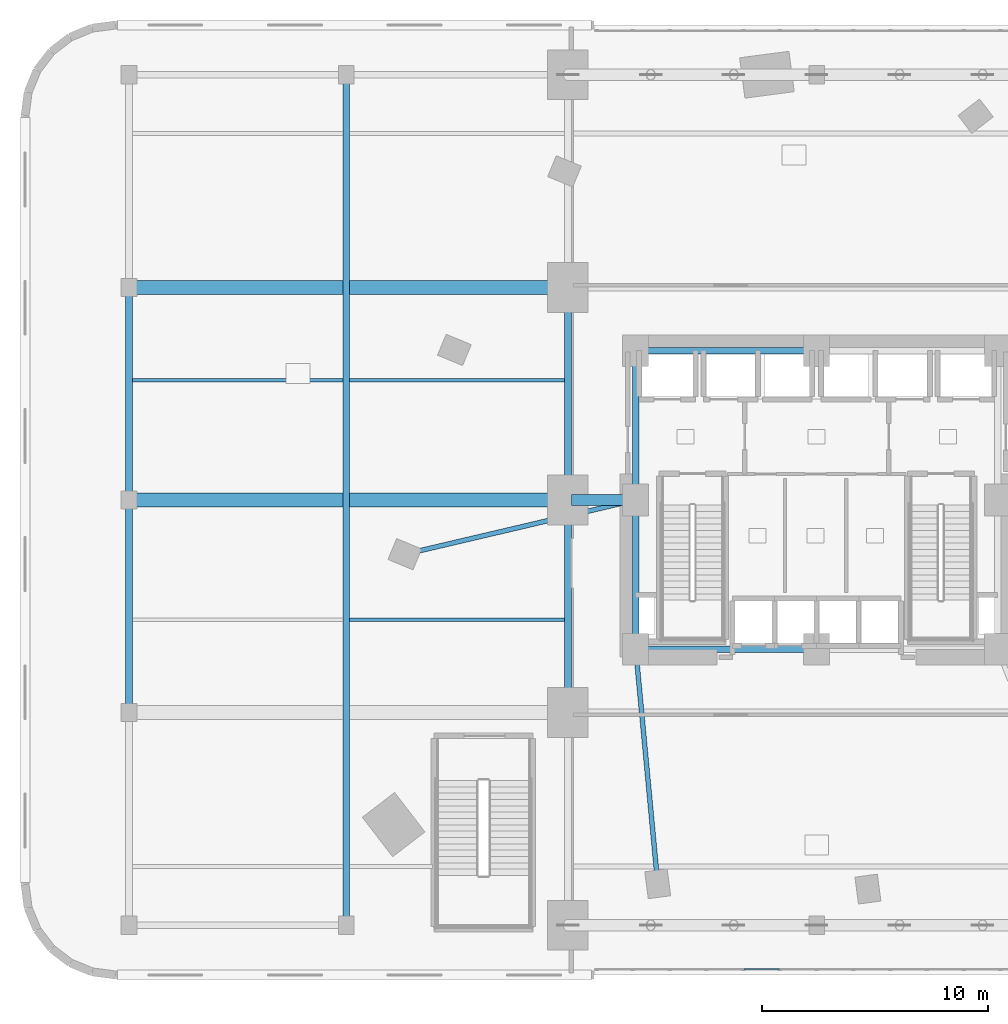
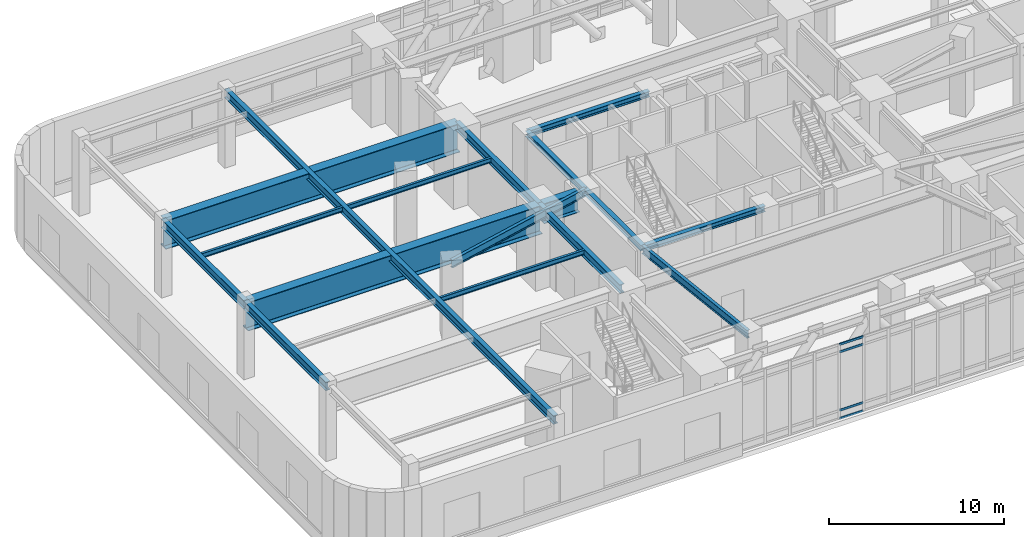
# One storey, part 3 of 19: 17 beams, 4 members, 1 element without a shape of its own.
"""IFC4 building model written with IfcOpenShell, lengths in metres."""

from ifc_helpers import new_model, si_unit, direction, frame, origin, origin_2d, place, context, subcontext, project, spatial, hollow_rectangle, i_section, extrude, material, layer, layer_set, material_profile, profile_set, type_object, element, aggregate, save


model = new_model("IFC4")

# Units and contexts
model_context = context("Model", 3, precision=1e-05, world=origin(), true_north=direction((0.0, 1.0)))
body_context = subcontext(model_context, "Body", "Model", "MODEL_VIEW")
ifc_project = project(units=[si_unit("LENGTHUNIT", "METRE"), si_unit("AREAUNIT", "SQUARE_METRE"), si_unit("VOLUMEUNIT", "CUBIC_METRE"), si_unit("PLANEANGLEUNIT", "RADIAN"), si_unit("MASSUNIT", "GRAM", prefix="KILO")], contexts=[model_context])

# Site, building, storey
site_placement = place(None, origin())
site = spatial("IfcSite", under=ifc_project, at=site_placement, CompositionType="ELEMENT")
building_placement = place(site_placement, origin())
building = spatial("IfcBuilding", under=site, at=building_placement, Name="Ndelora Gate Hotel", CompositionType="ELEMENT")
storey_placement = place(building_placement, frame((0.0, 0.0, 16.0)))
storey = spatial("IfcBuildingStorey", under=building, at=storey_placement, Name="L03", CompositionType="ELEMENT", Elevation=16.0)

# Beams
ifc_material_1 = material(Name="Steel S355", Category="steel")
ifc_material_profile_1 = material_profile(ifc_material_1, i_section(OverallWidth=0.300048828125, OverallDepth=0.39990234375, WebThickness=0.013427734375, FlangeThickness=0.02392578125, FilletRadius=0.027099609375, at=origin_2d()), Name="HEB 400")
ifc_profile_set_1 = profile_set([ifc_material_profile_1], Name="Steel S355")
beam_type_1 = type_object("IfcBeamType", Name="BM-CORE-400", PredefinedType="BEAM", material=ifc_profile_set_1)
beam_1_placement = place(storey_placement, frame((-8.0, 6.60009765625, 5.02001953125), z_axis=(1.0, 0.0, 0.0), x_axis=(0.0, 1.0, 0.0)))
element("IfcBeam", 1, at=beam_1_placement, inside=storey, type_object=beam_type_1, Name="L03 Core Tie Girder CC7-CC6", PredefinedType="BEAM", context=body_context, shape_type="SweptSolid", body=[
    extrude(i_section(OverallWidth=0.300048828125, OverallDepth=0.39990234375, WebThickness=0.013427734375, FlangeThickness=0.02392578125, FilletRadius=0.027099609375, at=origin_2d()), origin(), (0.0, 0.0, 1.0), 8.0),
])
for number, where, z_axis, x_axis, name in (
    (2, (-8.0, -6.60009765625, 5.02001953125), (0.0, 1.0, 0.0), (-1.0, 0.0, 0.0), "L03 Core Tie Girder CC1-CC8"),
    (3, (-8.0, 0.0, 5.02001953125), (0.0, 1.0, 0.0), (-1.0, 0.0, 0.0), "L03 Core Tie Girder CC8-CC7"),
):
    element("IfcBeam", number, at=place(storey_placement, frame(where, z_axis=z_axis, x_axis=x_axis)), inside=storey, type_object=beam_type_1, Name=name, PredefinedType="BEAM", context=body_context, shape_type="SweptSolid", body=[
        extrude(i_section(OverallWidth=0.300048828125, OverallDepth=0.39990234375, WebThickness=0.013427734375, FlangeThickness=0.02392578125, FilletRadius=0.027099609375, at=origin_2d()), origin(), (0.0, 0.0, 1.0), 6.60009765625),
    ])
beam_2_placement = place(storey_placement, frame((-8.0, -6.60009765625, 5.02001953125), z_axis=(1.0, 0.0, 0.0), x_axis=(0.0, 1.0, 0.0)))
element("IfcBeam", 4, at=beam_2_placement, inside=storey, type_object=beam_type_1, Name="L03 Core Tie Girder CC1-CC2", PredefinedType="BEAM", context=body_context, shape_type="SweptSolid", body=[
    extrude(i_section(OverallWidth=0.300048828125, OverallDepth=0.39990234375, WebThickness=0.013427734375, FlangeThickness=0.02392578125, FilletRadius=0.027099609375, at=origin_2d()), origin(), (0.0, 0.0, 1.0), 8.0),
])
ifc_material_profile_2 = material_profile(ifc_material_1, i_section(OverallWidth=0.159912109375, OverallDepth=0.330078125, WebThickness=0.007568359375, FlangeThickness=0.011474609375, FilletRadius=0.01806640625, at=origin_2d()), Name="IPE 330")
ifc_profile_set_2 = profile_set([ifc_material_profile_2], Name="Steel S355")
beam_type_2 = type_object("IfcBeamType", Name="BM-JST-330", PredefinedType="JOIST", material=ifc_profile_set_2)
beam_3_placement = place(storey_placement, frame((-20.64990234375, -5.300048828125, 5.054931640625), z_axis=(1.0, 0.0, 0.0), x_axis=(0.0, 1.0, 0.0)))
element("IfcBeam", 5, at=beam_3_placement, inside=storey, type_object=beam_type_2, Name="L03 Podium Composite Secondary Joist 2", PredefinedType="JOIST", context=body_context, shape_type="SweptSolid", body=[
    extrude(i_section(OverallWidth=0.159912109375, OverallDepth=0.330078125, WebThickness=0.007568359375, FlangeThickness=0.011474609375, FilletRadius=0.01806640625, at=origin_2d()), origin(), (0.0, 0.0, 1.0), 9.5),
])
beam_4_placement = place(storey_placement, frame((-30.25, 5.300048828125, 5.054931640625), z_axis=(1.0, 0.0, 0.0), x_axis=(0.0, 1.0, 0.0)))
element("IfcBeam", 6, at=beam_4_placement, inside=storey, type_object=beam_type_2, Name="L03 Podium Composite Secondary Joist 1", PredefinedType="JOIST", context=body_context, shape_type="SweptSolid", body=[
    extrude(i_section(OverallWidth=0.159912109375, OverallDepth=0.330078125, WebThickness=0.007568359375, FlangeThickness=0.011474609375, FilletRadius=0.01806640625, at=origin_2d()), origin(), (0.0, 0.0, 1.0), 9.300048828125),
])
beam_5_placement = place(storey_placement, frame((-20.64990234375, 5.300048828125, 5.054931640625), z_axis=(1.0, 0.0, 0.0), x_axis=(0.0, 1.0, 0.0)))
element("IfcBeam", 7, at=beam_5_placement, inside=storey, type_object=beam_type_2, Name="L03 Podium Composite Secondary Joist 2", PredefinedType="JOIST", context=body_context, shape_type="SweptSolid", body=[
    extrude(i_section(OverallWidth=0.159912109375, OverallDepth=0.330078125, WebThickness=0.007568359375, FlangeThickness=0.011474609375, FilletRadius=0.01806640625, at=origin_2d()), origin(), (0.0, 0.0, 1.0), 9.5),
])
ifc_material_profile_3 = material_profile(ifc_material_1, i_section(OverallWidth=0.300048828125, OverallDepth=0.60009765625, WebThickness=0.015380859375, FlangeThickness=0.030029296875, FilletRadius=0.027099609375, at=origin_2d()), Name="HEB 600")
ifc_profile_set_3 = profile_set([ifc_material_profile_3], Name="Steel S355")
beam_type_3 = type_object("IfcBeamType", Name="BM-POD-600", PredefinedType="BEAM", material=ifc_profile_set_3)
for number, where, z_axis, x_axis, name in (
    (8, (-30.39990234375, -9.39990234375, 4.919921875), (0.0, 1.0, 0.0), (-1.0, 0.0, 0.0), "L03 Podium Longitudinal Girder X=-30.4"),
    (9, (-30.39990234375, 0.0, 4.919921875), (0.0, 1.0, 0.0), (-1.0, 0.0, 0.0), "L03 Podium Longitudinal Girder X=-30.4"),
):
    element("IfcBeam", number, at=place(storey_placement, frame(where, z_axis=z_axis, x_axis=x_axis)), inside=storey, type_object=beam_type_3, Name=name, PredefinedType="BEAM", context=body_context, shape_type="SweptSolid", body=[
        extrude(i_section(OverallWidth=0.300048828125, OverallDepth=0.60009765625, WebThickness=0.015380859375, FlangeThickness=0.030029296875, FilletRadius=0.027099609375, at=origin_2d()), origin(), (0.0, 0.0, 1.0), 9.39990234375),
    ])
beam_6_placement = place(storey_placement, frame((-20.800048828125, -18.800048828125, 4.919921875), z_axis=(0.0, 1.0, 0.0), x_axis=(-1.0, 0.0, 0.0)))
element("IfcBeam", 10, at=beam_6_placement, inside=storey, type_object=beam_type_3, Name="L03 Podium Longitudinal Girder X=-20.8", PredefinedType="BEAM", context=body_context, shape_type="SweptSolid", body=[
    extrude(i_section(OverallWidth=0.300048828125, OverallDepth=0.60009765625, WebThickness=0.015380859375, FlangeThickness=0.030029296875, FilletRadius=0.027099609375, at=origin_2d()), origin(), (0.0, 0.0, 1.0), 37.60009765625),
])
for number, where, z_axis, x_axis, name in (
    (11, (-11.0, -9.39990234375, 4.919921875), (0.0, 1.0, 0.0), (-1.0, 0.0, 0.0), "L03 Podium Longitudinal Girder X=-11.0"),
    (12, (-11.0, 0.0, 4.919921875), (0.0, 1.0, 0.0), (-1.0, 0.0, 0.0), "L03 Podium Longitudinal Girder X=-11.0"),
):
    element("IfcBeam", number, at=place(storey_placement, frame(where, z_axis=z_axis, x_axis=x_axis)), inside=storey, type_object=beam_type_3, Name=name, PredefinedType="BEAM", context=body_context, shape_type="SweptSolid", body=[
        extrude(i_section(OverallWidth=0.300048828125, OverallDepth=0.60009765625, WebThickness=0.015380859375, FlangeThickness=0.030029296875, FilletRadius=0.027099609375, at=origin_2d()), origin(), (0.0, 0.0, 1.0), 9.39990234375),
    ])
ifc_material_profile_4 = material_profile(ifc_material_1, i_section(OverallWidth=0.2099609375, OverallDepth=0.550048828125, WebThickness=0.010986328125, FlangeThickness=0.01708984375, FilletRadius=0.02392578125, at=origin_2d()), Name="IPE 550")
ifc_profile_set_4 = profile_set([ifc_material_profile_4], Name="Steel S355")
beam_type_4 = type_object("IfcBeamType", Name="BM-RAD-550", PredefinedType="BEAM", material=ifc_profile_set_4)
beam_7_placement = place(storey_placement, frame((-8.0, 0.0, 4.945068359375), z_axis=(-0.973517848051, -0.22861102232, 0.0), x_axis=(0.22861102232, -0.973517848051, 0.0)))
element("IfcBeam", 13, at=beam_7_placement, inside=storey, type_object=beam_type_4, Name="L03 Tower Root Radial Tie Beam 4", PredefinedType="BEAM", context=body_context, shape_type="SweptSolid", body=[
    extrude(i_section(OverallWidth=0.2099609375, OverallDepth=0.550048828125, WebThickness=0.010986328125, FlangeThickness=0.01708984375, FilletRadius=0.02392578125, at=origin_2d()), origin(), (0.0, 0.0, 1.0), 10.48486328125),
])
beam_8_placement = place(storey_placement, frame((-8.0, -6.60009765625, 4.945068359375), z_axis=(0.093395913855, -0.995629049031, 0.0), x_axis=(0.995629049031, 0.093395913855, 0.0)))
element("IfcBeam", 14, at=beam_8_placement, inside=storey, type_object=beam_type_4, Name="L03 Tower Root Radial Tie Beam 6", PredefinedType="BEAM", context=body_context, shape_type="SweptSolid", body=[
    extrude(i_section(OverallWidth=0.2099609375, OverallDepth=0.550048828125, WebThickness=0.010986328125, FlangeThickness=0.01708984375, FilletRadius=0.02392578125, at=origin_2d()), origin(), (0.0, 0.0, 1.0), 10.41162109375),
])
ifc_material_2 = material(Name="Steel S460", Category="steel")
ifc_material_profile_5 = material_profile(ifc_material_2, i_section(OverallWidth=0.5, OverallDepth=1.39990234375, WebThickness=0.02392578125, FlangeThickness=0.035888671875, FilletRadius=0.02197265625, at=origin_2d()), Name="PG 1400x500x36")
ifc_profile_set_5 = profile_set([ifc_material_profile_5], Name="Steel S460")
beam_type_5 = type_object("IfcBeamType", Name="BM-TR-1400", PredefinedType="BEAM", material=ifc_profile_set_5)
beam_9_placement = place(storey_placement, frame((-10.85009765625, 0.0, 4.52001953125), z_axis=(1.0, 0.0, 0.0), x_axis=(0.0, 1.0, 0.0)))
element("IfcBeam", 15, at=beam_9_placement, inside=storey, type_object=beam_type_5, Name="L03 structural beam TG-3", PredefinedType="BEAM", context=body_context, shape_type="SweptSolid", body=[
    extrude(i_section(OverallWidth=0.5, OverallDepth=1.39990234375, WebThickness=0.02392578125, FlangeThickness=0.035888671875, FilletRadius=0.02197265625, at=origin_2d()), origin(), (0.0, 0.0, 1.0), 2.35009765625),
])
ifc_material_profile_6 = material_profile(ifc_material_2, i_section(OverallWidth=0.6201171875, OverallDepth=2.0, WebThickness=0.028076171875, FlangeThickness=0.0400390625, FilletRadius=0.02392578125, at=origin_2d()), Name="PG 2000x620x40")
ifc_profile_set_6 = profile_set([ifc_material_profile_6], Name="Steel S460")
beam_type_6 = type_object("IfcBeamType", Name="BM-TR-2000", PredefinedType="BEAM", material=ifc_profile_set_6)
for number, where, z_axis, x_axis, name in (
    (16, (-30.39990234375, 0.0, 4.219970703125), (1.0, 0.0, 0.0), (0.0, 1.0, 0.0), "L03 Podium Transverse Girder Y=+0.0"),
    (17, (-30.39990234375, 9.39990234375, 4.219970703125), (1.0, 0.0, 0.0), (0.0, 1.0, 0.0), "L03 Podium Transverse Girder Y=+9.4"),
):
    element("IfcBeam", number, at=place(storey_placement, frame(where, z_axis=z_axis, x_axis=x_axis)), inside=storey, type_object=beam_type_6, Name=name, PredefinedType="BEAM", context=body_context, shape_type="SweptSolid", body=[
        extrude(i_section(OverallWidth=0.6201171875, OverallDepth=2.0, WebThickness=0.028076171875, FlangeThickness=0.0400390625, FilletRadius=0.02392578125, at=origin_2d()), origin(), (0.0, 0.0, 1.0), 19.39990234375),
    ])

# Curtain wall, members
ifc_material_3 = material(Name="Bronze Anodised Unitised Aluminium and Low-E Glass", Category="aluminium")
ifc_layer = layer(ifc_material_3, 0.219970703125)
ifc_layer_set = layer_set([ifc_layer], Name="Bronze Anodised Unitised Aluminium and Low-E Glass")
curtain_wall_type = type_object("IfcCurtainWallType", Name="CW-SYS-2", PredefinedType="NOTDEFINED", material=ifc_layer_set)
curtain_wall_placement = place(storey_placement, origin())
curtain_wall = element("IfcCurtainWall", 18, at=curtain_wall_placement, inside=storey, type_object=curtain_wall_type, Name="L03 South Podium Foyer Curtain Wall CW2", PredefinedType="NOTDEFINED")
ifc_material_4 = material(Name="Bronze Anodised Aluminium 6063-T6", Category="aluminium")
ifc_material_profile_7 = material_profile(ifc_material_4, hollow_rectangle(XDim=0.06494140625, YDim=0.159912109375, WallThickness=0.00390625, InnerFilletRadius=0.00390625, OuterFilletRadius=0.008056640625, at=origin_2d()), Name="ALU 160x65x4")
ifc_profile_set_7 = profile_set([ifc_material_profile_7], Name="Bronze Anodised Aluminium 6063-T6")
member_type = type_object("IfcMemberType", Name="MB-CW-TRN150", PredefinedType="USERDEFINED", material=ifc_profile_set_7)
member_1_placement = place(storey_placement, frame((-3.220947265625, -20.75, 0.032470703125), z_axis=(1.0, 0.0, 0.0), x_axis=(0.0, 1.0, 0.0)))
member_1 = element("IfcMember", 19, at=member_1_placement, type_object=member_type, Name="CW2 transom 5.1", ObjectType="TRANSOM", PredefinedType="USERDEFINED", context=body_context, shape_type="SweptSolid", body=[
    extrude(hollow_rectangle(XDim=0.06494140625, YDim=0.159912109375, WallThickness=0.00390625, InnerFilletRadius=0.00390625, OuterFilletRadius=0.008056640625, at=origin_2d()), origin(), (0.0, 0.0, 1.0), 1.56689453125),
])
member_2_placement = place(storey_placement, frame((-3.220947265625, -20.75, 0.60009765625), z_axis=(1.0, 0.0, 0.0), x_axis=(0.0, 1.0, 0.0)))
member_2 = element("IfcMember", 20, at=member_2_placement, type_object=member_type, Name="CW2 transom 5.2", ObjectType="TRANSOM", PredefinedType="USERDEFINED", context=body_context, shape_type="SweptSolid", body=[
    extrude(hollow_rectangle(XDim=0.06494140625, YDim=0.159912109375, WallThickness=0.00390625, InnerFilletRadius=0.00390625, OuterFilletRadius=0.008056640625, at=origin_2d()), origin(), (0.0, 0.0, 1.0), 1.56689453125),
])
member_3_placement = place(storey_placement, frame((-3.220947265625, -20.75, 4.669921875), z_axis=(1.0, 0.0, 0.0), x_axis=(0.0, 1.0, 0.0)))
member_3 = element("IfcMember", 21, at=member_3_placement, type_object=member_type, Name="CW2 transom 5.3", ObjectType="TRANSOM", PredefinedType="USERDEFINED", context=body_context, shape_type="SweptSolid", body=[
    extrude(hollow_rectangle(XDim=0.06494140625, YDim=0.159912109375, WallThickness=0.00390625, InnerFilletRadius=0.00390625, OuterFilletRadius=0.008056640625, at=origin_2d()), origin(), (0.0, 0.0, 1.0), 1.56689453125),
])
member_4_placement = place(storey_placement, frame((-3.220947265625, -20.75, 5.1875), z_axis=(1.0, 0.0, 0.0), x_axis=(0.0, 1.0, 0.0)))
member_4 = element("IfcMember", 22, at=member_4_placement, type_object=member_type, Name="CW2 transom 5.4", ObjectType="TRANSOM", PredefinedType="USERDEFINED", context=body_context, shape_type="SweptSolid", body=[
    extrude(hollow_rectangle(XDim=0.06494140625, YDim=0.159912109375, WallThickness=0.00390625, InnerFilletRadius=0.00390625, OuterFilletRadius=0.008056640625, at=origin_2d()), origin(), (0.0, 0.0, 1.0), 1.56689453125),
])
aggregate(curtain_wall, [member_1, member_2, member_3, member_4])

save(model, "model.ifc")
